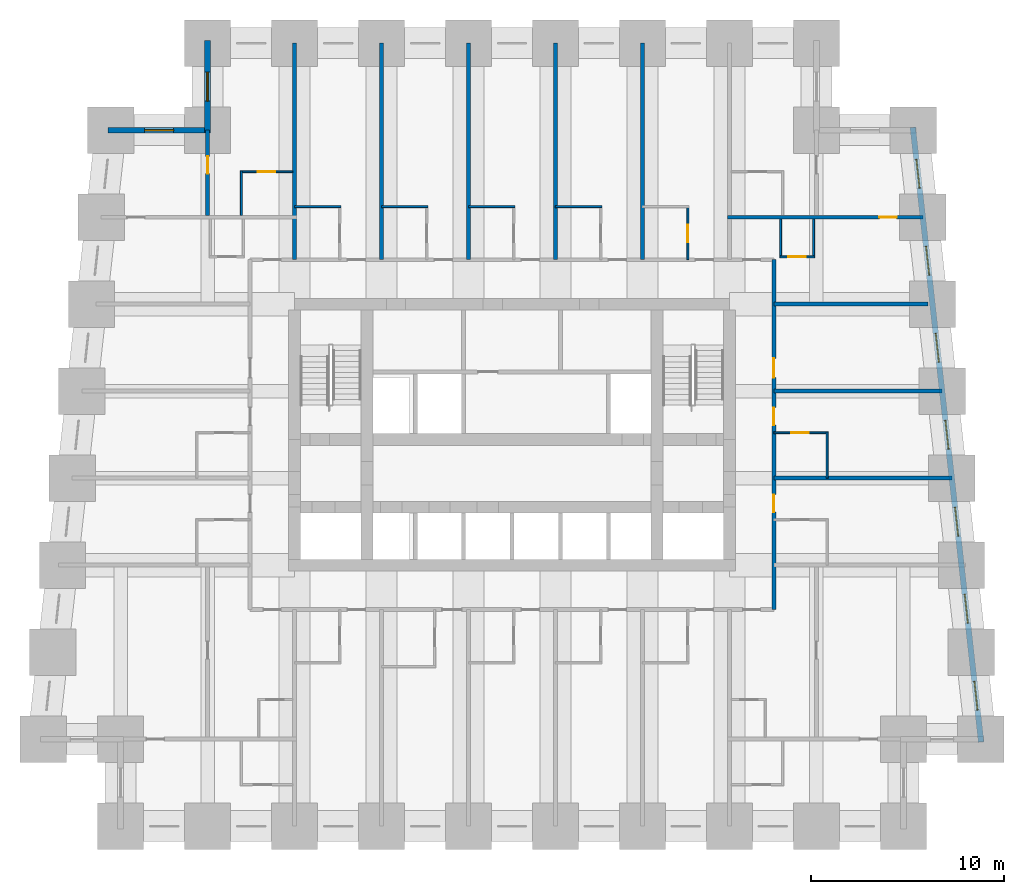
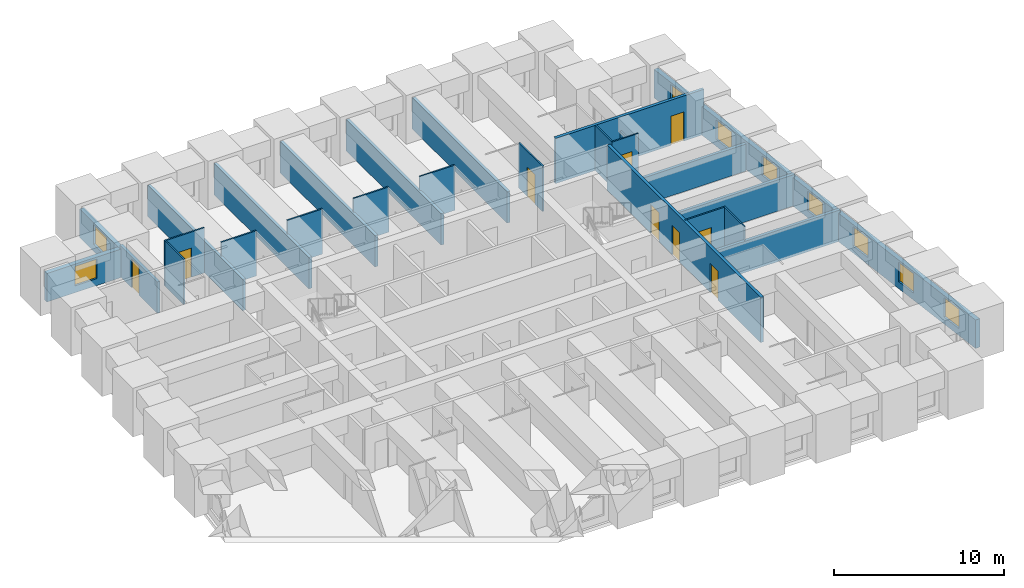
# One storey, part 6 of 8: 26 walls, 9 doors, 9 windows, 18 openings.
"""IFC4 building model written with IfcOpenShell, lengths in metres."""

from ifc_helpers import new_model, si_unit, direction, frame, frame_2d, origin, place, context, subcontext, project, spatial, rectangle, extrude, material, layer, layer_set, type_object, element, fill, save


model = new_model("IFC4")

# Units and contexts
model_context = context("Model", 3, precision=1e-05, world=origin(), true_north=direction((0.0, 1.0)))
body_context = subcontext(model_context, "Body", "Model", "MODEL_VIEW")
ifc_project = project(units=[si_unit("LENGTHUNIT", "METRE"), si_unit("AREAUNIT", "SQUARE_METRE"), si_unit("VOLUMEUNIT", "CUBIC_METRE"), si_unit("PLANEANGLEUNIT", "RADIAN"), si_unit("MASSUNIT", "GRAM", prefix="KILO")], contexts=[model_context])

# Site, building, storey
site_placement = place(None, origin())
site = spatial("IfcSite", under=ifc_project, at=site_placement, CompositionType="ELEMENT")
building_placement = place(site_placement, origin())
building = spatial("IfcBuilding", under=site, at=building_placement, Name="Kilele Tower Hotel", CompositionType="ELEMENT")
storey_placement = place(building_placement, frame((0.0, 0.0, 29.699951171875)))
storey = spatial("IfcBuildingStorey", under=building, at=storey_placement, Name="L05", CompositionType="ELEMENT", Elevation=29.699951171875)

# Wall
ifc_material_1 = material(Name="Moisture-resistant board")
ifc_layer_1 = layer(ifc_material_1, 0.10009765625)
ifc_layer_set_1 = layer_set([ifc_layer_1], Name="Moisture-resistant board")
wall_type_1 = type_object("IfcWallType", Name="Bathroom partition 100", PredefinedType="PLUMBINGWALL", material=ifc_layer_set_1)
wall_1_placement = place(storey_placement, frame((41.050048828125, 18.0, 0.0), z_axis=(0.0, 0.0, 1.0), x_axis=(0.0, 1.0, 0.0)))
element("IfcWall", 1, at=wall_1_placement, inside=storey, type_object=wall_type_1, Name="Bathroom partition 100 L05", PredefinedType="PLUMBINGWALL", context=body_context, shape_type="SweptSolid", body=[
    extrude(rectangle(XDim=2.39990234375, YDim=0.10009765625, at=frame_2d((1.199951171875, 0.0))), origin(), (0.0, 0.0, 1.0), 3.25),
])

# Wall, opening, door
wall_2_placement = place(storey_placement, frame((38.300048828125, 20.35009765625, 0.0), z_axis=(0.0, 0.0, 1.0), x_axis=(1.0, 0.0, 0.0)))
wall_2 = element("IfcWall", 2, at=wall_2_placement, inside=storey, type_object=wall_type_1, Name="Bathroom partition 100 L05", PredefinedType="PLUMBINGWALL", context=body_context, shape_type="SweptSolid", body=[
    extrude(rectangle(XDim=2.800048828125, YDim=0.10009765625, at=frame_2d((1.39990234375, 0.0))), origin(), (0.0, 0.0, 1.0), 3.25),
])
opening_1_placement = place(wall_2_placement, frame((0.89990234375, 0.0, 0.0)))
opening_1 = element("IfcOpeningElement", 3, at=opening_1_placement, cuts=wall_2, Name="Opening D2A", PredefinedType="OPENING", context=body_context, shape_type="SweptSolid", body=[
    extrude(rectangle(XDim=0.89990234375, YDim=2.10009765625, at=frame_2d((0.449951171875, 1.050048828125))), frame((0.0, 0.06005859375, 0.0), z_axis=(0.0, -1.0, 0.0), x_axis=(1.0, 0.0, 0.0)), (0.0, 0.0, 1.0), 0.1201171875),
])
ifc_material_2 = material(Name="Timber door leaf in hardwood frame", Category="wood")
door_type_1 = type_object("IfcDoorType", Name="Bathroom door 900", OperationType="SINGLE_SWING_LEFT", PredefinedType="DOOR", material=ifc_material_2)
door_1_placement = place(opening_1_placement, origin())
door_1 = element("IfcDoor", 4, at=door_1_placement, inside=storey, type_object=door_type_1, Name="Bathroom door 0507B", OperationType="SINGLE_SWING_LEFT", OverallHeight=2.10009765625, OverallWidth=0.89990234375, PredefinedType="DOOR", context=body_context, shape_type="SweptSolid", body=[
    extrude(rectangle(XDim=0.89990234375, YDim=2.10009765625, at=frame_2d((0.449951171875, 1.050048828125))), frame((0.0, 0.02490234375, 0.0), z_axis=(0.0, -1.0, 0.0), x_axis=(1.0, 0.0, 0.0)), (0.0, 0.0, 1.0), 0.050048828125),
])
fill(opening_1, door_1)

# Walls
for number, where, z_axis, x_axis, name in (
    (5, (13.5, 32.050048828125, 0.0), (0.0, 0.0, 1.0), (1.0, 0.0, 0.0), "Bathroom partition 100 L05"),
    (6, (18.0, 32.050048828125, 0.0), (0.0, 0.0, 1.0), (1.0, 0.0, 0.0), "Bathroom partition 100 L05"),
    (7, (22.5, 32.050048828125, 0.0), (0.0, 0.0, 1.0), (1.0, 0.0, 0.0), "Bathroom partition 100 L05"),
    (8, (27.0, 32.050048828125, 0.0), (0.0, 0.0, 1.0), (1.0, 0.0, 0.0), "Bathroom partition 100 L05"),
):
    element("IfcWall", number, at=place(storey_placement, frame(where, z_axis=z_axis, x_axis=x_axis)), inside=storey, type_object=wall_type_1, Name=name, PredefinedType="PLUMBINGWALL", context=body_context, shape_type="SweptSolid", body=[
        extrude(rectangle(XDim=2.39990234375, YDim=0.10009765625, at=frame_2d((1.199951171875, 0.0))), origin(), (0.0, 0.0, 1.0), 3.25),
    ])

# Wall, opening, door
wall_3_placement = place(storey_placement, frame((33.85009765625, 29.300048828125, 0.0), z_axis=(0.0, 0.0, 1.0), x_axis=(0.0, 1.0, 0.0)))
wall_3 = element("IfcWall", 9, at=wall_3_placement, inside=storey, type_object=wall_type_1, Name="Bathroom partition 100 L05", PredefinedType="PLUMBINGWALL", context=body_context, shape_type="SweptSolid", body=[
    extrude(rectangle(XDim=2.800048828125, YDim=0.10009765625, at=frame_2d((1.39990234375, 0.0))), origin(), (0.0, 0.0, 1.0), 3.25),
])
opening_2_placement = place(wall_3_placement, frame((1.7998046875, 0.0, 0.0), z_axis=(0.0, 0.0, 1.0), x_axis=(-1.0, 0.0, 0.0)))
opening_2 = element("IfcOpeningElement", 10, at=opening_2_placement, cuts=wall_3, Name="Opening D2A", PredefinedType="OPENING", context=body_context, shape_type="SweptSolid", body=[
    extrude(rectangle(XDim=0.89990234375, YDim=2.10009765625, at=frame_2d((0.449951171875, 1.050048828125))), frame((0.0, 0.06005859375, 0.0), z_axis=(0.0, -1.0, 0.0), x_axis=(1.0, 0.0, 0.0)), (0.0, 0.0, 1.0), 0.1201171875),
])
door_2_placement = place(opening_2_placement, origin())
door_2 = element("IfcDoor", 11, at=door_2_placement, inside=storey, type_object=door_type_1, Name="Bathroom door 0513B", OperationType="SINGLE_SWING_RIGHT", OverallHeight=2.10009765625, OverallWidth=0.89990234375, PredefinedType="DOOR", context=body_context, shape_type="SweptSolid", body=[
    extrude(rectangle(XDim=0.89990234375, YDim=2.10009765625, at=frame_2d((0.449951171875, 1.050048828125))), frame((0.0, 0.02490234375, 0.0), z_axis=(0.0, -1.0, 0.0), x_axis=(1.0, 0.0, 0.0)), (0.0, 0.0, 1.0), 0.050048828125),
])
fill(opening_2, door_2)

# Walls
wall_4_placement = place(storey_placement, frame((40.35009765625, 31.39990234375, 0.0), z_axis=(0.0, 0.0, 1.0), x_axis=(0.0, -1.0, 0.0)))
element("IfcWall", 12, at=wall_4_placement, inside=storey, type_object=wall_type_1, Name="Bathroom partition 100 L05", PredefinedType="PLUMBINGWALL", context=body_context, shape_type="SweptSolid", body=[
    extrude(rectangle(XDim=2.0, YDim=0.10009765625, at=frame_2d((1.0, 0.0))), origin(), (0.0, 0.0, 1.0), 2.25),
])
wall_5_placement = place(storey_placement, frame((38.64990234375, 31.39990234375, 0.0), z_axis=(0.0, 0.0, 1.0), x_axis=(0.0, -1.0, 0.0)))
element("IfcWall", 13, at=wall_5_placement, inside=storey, type_object=wall_type_1, Name="Bathroom partition 100 L05", PredefinedType="PLUMBINGWALL", context=body_context, shape_type="SweptSolid", body=[
    extrude(rectangle(XDim=2.0, YDim=0.10009765625, at=frame_2d((1.0, 0.0))), origin(), (0.0, 0.0, 1.0), 3.25),
])

# Wall, opening, door
wall_6_placement = place(storey_placement, frame((38.60009765625, 29.449951171875, 0.0), z_axis=(0.0, 0.0, 1.0), x_axis=(1.0, 0.0, 0.0)))
wall_6 = element("IfcWall", 14, at=wall_6_placement, inside=storey, type_object=wall_type_1, Name="Bathroom partition 100 L05", PredefinedType="PLUMBINGWALL", context=body_context, shape_type="SweptSolid", body=[
    extrude(rectangle(XDim=1.7998046875, YDim=0.10009765625, at=frame_2d((0.89990234375, 0.0))), origin(), (0.0, 0.0, 1.0), 3.25),
])
opening_3_placement = place(wall_6_placement, frame((1.349853515625, 0.0, 0.0), z_axis=(0.0, 0.0, 1.0), x_axis=(-1.0, 0.0, 0.0)))
opening_3 = element("IfcOpeningElement", 15, at=opening_3_placement, cuts=wall_6, Name="Opening D2A", PredefinedType="OPENING", context=body_context, shape_type="SweptSolid", body=[
    extrude(rectangle(XDim=0.89990234375, YDim=2.10009765625, at=frame_2d((0.449951171875, 1.050048828125))), frame((0.0, 0.06005859375, 0.0), z_axis=(0.0, -1.0, 0.0), x_axis=(1.0, 0.0, 0.0)), (0.0, 0.0, 1.0), 0.1201171875),
])
door_3_placement = place(opening_3_placement, origin())
door_3 = element("IfcDoor", 16, at=door_3_placement, inside=storey, type_object=door_type_1, Name="Bathroom door 0523P", OperationType="SINGLE_SWING_RIGHT", OverallHeight=2.10009765625, OverallWidth=0.89990234375, PredefinedType="DOOR", context=body_context, shape_type="SweptSolid", body=[
    extrude(rectangle(XDim=0.89990234375, YDim=2.10009765625, at=frame_2d((0.449951171875, 1.050048828125))), frame((0.0, 0.02490234375, 0.0), z_axis=(0.0, -1.0, 0.0), x_axis=(1.0, 0.0, 0.0)), (0.0, 0.0, 1.0), 0.050048828125),
])
fill(opening_3, door_3)

# Wall
wall_7_placement = place(storey_placement, frame((10.75, 31.60009765625, 0.0), z_axis=(0.0, 0.0, 1.0), x_axis=(0.0, 1.0, 0.0)))
element("IfcWall", 17, at=wall_7_placement, inside=storey, type_object=wall_type_1, Name="Bathroom partition 100 L05", PredefinedType="PLUMBINGWALL", context=body_context, shape_type="SweptSolid", body=[
    extrude(rectangle(XDim=2.2998046875, YDim=0.10009765625, at=frame_2d((1.14990234375, 0.0))), origin(), (0.0, 0.0, 1.0), 3.25),
])

# Wall, opening, door
wall_8_placement = place(storey_placement, frame((13.39990234375, 33.85009765625, 0.0), z_axis=(0.0, 0.0, 1.0), x_axis=(-1.0, 0.0, 0.0)))
wall_8 = element("IfcWall", 18, at=wall_8_placement, inside=storey, type_object=wall_type_1, Name="Bathroom partition 100 L05", PredefinedType="PLUMBINGWALL", context=body_context, shape_type="SweptSolid", body=[
    extrude(rectangle(XDim=2.699951171875, YDim=0.10009765625, at=frame_2d((1.35009765625, 0.0))), origin(), (0.0, 0.0, 1.0), 3.25),
])
opening_4_placement = place(wall_8_placement, frame((1.7998046875, 0.0, 0.0), z_axis=(0.0, 0.0, 1.0), x_axis=(-1.0, 0.0, 0.0)))
opening_4 = element("IfcOpeningElement", 19, at=opening_4_placement, cuts=wall_8, Name="Opening D2A", PredefinedType="OPENING", context=body_context, shape_type="SweptSolid", body=[
    extrude(rectangle(XDim=0.89990234375, YDim=2.10009765625, at=frame_2d((0.449951171875, 1.050048828125))), frame((0.0, 0.06005859375, 0.0), z_axis=(0.0, -1.0, 0.0), x_axis=(1.0, 0.0, 0.0)), (0.0, 0.0, 1.0), 0.1201171875),
])
door_4_placement = place(opening_4_placement, origin())
door_4 = element("IfcDoor", 20, at=door_4_placement, inside=storey, type_object=door_type_1, Name="Bathroom door 0527B", OperationType="SINGLE_SWING_RIGHT", OverallHeight=2.10009765625, OverallWidth=0.89990234375, PredefinedType="DOOR", context=body_context, shape_type="SweptSolid", body=[
    extrude(rectangle(XDim=0.89990234375, YDim=2.10009765625, at=frame_2d((0.449951171875, 1.050048828125))), frame((0.0, 0.02490234375, 0.0), z_axis=(0.0, -1.0, 0.0), x_axis=(1.0, 0.0, 0.0)), (0.0, 0.0, 1.0), 0.050048828125),
])
fill(opening_4, door_4)

# Wall, openings, doors
ifc_material_3 = material(Name="Blockwork, plastered both sides", Category="masonry")
ifc_layer_2 = layer(ifc_material_3, 0.199951171875)
ifc_layer_set_2 = layer_set([ifc_layer_2], Name="Blockwork, plastered both sides")
wall_type_2 = type_object("IfcWallType", Name="Corridor wall 200", PredefinedType="PARTITIONING", material=ifc_layer_set_2)
wall_9_placement = place(storey_placement, frame((38.300048828125, 11.199951171875, 0.0), z_axis=(0.0, 0.0, 1.0), x_axis=(0.0, 1.0, 0.0)))
wall_9 = element("IfcWall", 21, at=wall_9_placement, inside=storey, type_object=wall_type_2, Name="Corridor wall 200 L05", PredefinedType="PARTITIONING", context=body_context, shape_type="SweptSolid", body=[
    extrude(rectangle(XDim=18.10009765625, YDim=0.199951171875, at=frame_2d((9.050048828125, 0.0))), origin(), (0.0, 0.0, 1.0), 3.25),
])
opening_5_placement = place(wall_9_placement, frame((5.949951171875, 0.0, 0.0), z_axis=(0.0, 0.0, 1.0), x_axis=(-1.0, 0.0, 0.0)))
opening_5 = element("IfcOpeningElement", 22, at=opening_5_placement, cuts=wall_9, Name="Opening D1", PredefinedType="OPENING", context=body_context, shape_type="SweptSolid", body=[
    extrude(rectangle(XDim=0.89990234375, YDim=2.10009765625, at=frame_2d((0.449951171875, 1.050048828125))), frame((0.0, 0.10986328125, 0.0), z_axis=(0.0, -1.0, 0.0), x_axis=(1.0, 0.0, 0.0)), (0.0, 0.0, 1.0), 0.219970703125),
])
opening_6_placement = place(wall_9_placement, frame((10.449951171875, 0.0, 0.0), z_axis=(0.0, 0.0, 1.0), x_axis=(-1.0, 0.0, 0.0)))
opening_6 = element("IfcOpeningElement", 23, at=opening_6_placement, cuts=wall_9, Name="Opening D1", PredefinedType="OPENING", context=body_context, shape_type="SweptSolid", body=[
    extrude(rectangle(XDim=0.89990234375, YDim=2.10009765625, at=frame_2d((0.449951171875, 1.050048828125))), frame((0.0, 0.10986328125, 0.0), z_axis=(0.0, -1.0, 0.0), x_axis=(1.0, 0.0, 0.0)), (0.0, 0.0, 1.0), 0.219970703125),
])
opening_7_placement = place(wall_9_placement, frame((13.0, 0.0, 0.0), z_axis=(0.0, 0.0, 1.0), x_axis=(-1.0, 0.0, 0.0)))
opening_7 = element("IfcOpeningElement", 24, at=opening_7_placement, cuts=wall_9, Name="Opening D8", PredefinedType="OPENING", context=body_context, shape_type="SweptSolid", body=[
    extrude(rectangle(XDim=1.0, YDim=2.10009765625, at=frame_2d((0.5, 1.050048828125))), frame((0.0, 0.10986328125, 0.0), z_axis=(0.0, -1.0, 0.0), x_axis=(1.0, 0.0, 0.0)), (0.0, 0.0, 1.0), 0.219970703125),
])
ifc_material_4 = material(Name="Timber door leaf in hardwood frame", Category="wood")
door_type_2 = type_object("IfcDoorType", Name="Door 1000", OperationType="SINGLE_SWING_LEFT", PredefinedType="DOOR", material=ifc_material_4)
door_5_placement = place(opening_7_placement, origin())
door_5 = element("IfcDoor", 25, at=door_5_placement, inside=storey, type_object=door_type_2, Name="Room entrance 0508", OperationType="SINGLE_SWING_RIGHT", OverallHeight=2.10009765625, OverallWidth=1.0, PredefinedType="DOOR", context=body_context, shape_type="SweptSolid", body=[
    extrude(rectangle(XDim=1.0, YDim=2.10009765625, at=frame_2d((0.5, 1.050048828125))), frame((0.0, 0.02490234375, 0.0), z_axis=(0.0, -1.0, 0.0), x_axis=(1.0, 0.0, 0.0)), (0.0, 0.0, 1.0), 0.050048828125),
])
fill(opening_7, door_5)
ifc_material_5 = material(Name="Timber door leaf in hardwood frame", Category="wood")
door_type_3 = type_object("IfcDoorType", Name="Guest room entrance door 900", OperationType="SINGLE_SWING_LEFT", PredefinedType="DOOR", material=ifc_material_5)
door_6_placement = place(opening_5_placement, origin())
door_6 = element("IfcDoor", 26, at=door_6_placement, inside=storey, type_object=door_type_3, Name="Room entrance 0506", OperationType="SINGLE_SWING_RIGHT", OverallHeight=2.10009765625, OverallWidth=0.89990234375, PredefinedType="DOOR", context=body_context, shape_type="SweptSolid", body=[
    extrude(rectangle(XDim=0.89990234375, YDim=2.10009765625, at=frame_2d((0.449951171875, 1.050048828125))), frame((0.0, 0.02490234375, 0.0), z_axis=(0.0, -1.0, 0.0), x_axis=(1.0, 0.0, 0.0)), (0.0, 0.0, 1.0), 0.050048828125),
])
fill(opening_5, door_6)
door_7_placement = place(opening_6_placement, origin())
door_7 = element("IfcDoor", 27, at=door_7_placement, inside=storey, type_object=door_type_3, Name="Room entrance 0507", OperationType="SINGLE_SWING_RIGHT", OverallHeight=2.10009765625, OverallWidth=0.89990234375, PredefinedType="DOOR", context=body_context, shape_type="SweptSolid", body=[
    extrude(rectangle(XDim=0.89990234375, YDim=2.10009765625, at=frame_2d((0.449951171875, 1.050048828125))), frame((0.0, 0.02490234375, 0.0), z_axis=(0.0, -1.0, 0.0), x_axis=(1.0, 0.0, 0.0)), (0.0, 0.0, 1.0), 0.050048828125),
])
fill(opening_6, door_7)

# Wall, opening, door
ifc_material_6 = material(Name="Blockwork, plastered both sides", Category="masonry")
ifc_layer_3 = layer(ifc_material_6, 0.199951171875)
ifc_layer_set_3 = layer_set([ifc_layer_3], Name="Blockwork, plastered both sides")
wall_type_3 = type_object("IfcWallType", Name="Partition wall 200", PredefinedType="PARTITIONING", material=ifc_layer_set_3)
wall_10_placement = place(storey_placement, frame((9.0, 31.60009765625, 0.0), z_axis=(0.0, 0.0, 1.0), x_axis=(0.0, 1.0, 0.0)))
wall_10 = element("IfcWall", 28, at=wall_10_placement, inside=storey, type_object=wall_type_3, Name="Partition wall 200 L05", PredefinedType="PARTITIONING", context=body_context, shape_type="SweptSolid", body=[
    extrude(rectangle(XDim=4.39990234375, YDim=0.199951171875, at=frame_2d((2.199951171875, 0.0))), origin(), (0.0, 0.0, 1.0), 2.25),
])
opening_8_placement = place(wall_10_placement, frame((2.14990234375, 0.0, 0.0)))
opening_8 = element("IfcOpeningElement", 29, at=opening_8_placement, cuts=wall_10, Name="Opening D3", PredefinedType="OPENING", context=body_context, shape_type="SweptSolid", body=[
    extrude(rectangle(XDim=0.89990234375, YDim=2.10009765625, at=frame_2d((0.449951171875, 1.050048828125))), frame((0.0, 0.10986328125, 0.0), z_axis=(0.0, -1.0, 0.0), x_axis=(1.0, 0.0, 0.0)), (0.0, 0.0, 1.0), 0.219970703125),
])
ifc_material_7 = material(Name="Timber door leaf in hardwood frame", Category="wood")
door_type_4 = type_object("IfcDoorType", Name="Suite internal door 900", OperationType="SINGLE_SWING_LEFT", PredefinedType="DOOR", material=ifc_material_7)
door_8_placement = place(opening_8_placement, origin())
door_8 = element("IfcDoor", 30, at=door_8_placement, inside=storey, type_object=door_type_4, Name="Suite door 0528", OperationType="SINGLE_SWING_RIGHT", OverallHeight=2.10009765625, OverallWidth=0.89990234375, PredefinedType="DOOR", context=body_context, shape_type="SweptSolid", body=[
    extrude(rectangle(XDim=0.89990234375, YDim=2.10009765625, at=frame_2d((0.449951171875, 1.050048828125))), frame((0.0, 0.02490234375, 0.0), z_axis=(0.0, -1.0, 0.0), x_axis=(1.0, 0.0, 0.0)), (0.0, 0.0, 1.0), 0.050048828125),
])
fill(opening_8, door_8)

# Walls
ifc_material_8 = material(Name="Blockwork, plastered both sides", Category="masonry")
ifc_layer_4 = layer(ifc_material_8, 0.199951171875)
ifc_layer_set_4 = layer_set([ifc_layer_4], Name="Blockwork, plastered both sides")
wall_type_4 = type_object("IfcWallType", Name="Party wall 200", PredefinedType="PARTITIONING", material=ifc_layer_set_4)
wall_11_placement = place(storey_placement, frame((38.300048828125, 18.0, 0.0), z_axis=(0.0, 0.0, 1.0), x_axis=(1.0, 0.0, 0.0)))
element("IfcWall", 31, at=wall_11_placement, inside=storey, type_object=wall_type_4, Name="Party wall 200 L05", PredefinedType="PARTITIONING", context=body_context, shape_type="SweptSolid", body=[
    extrude(rectangle(XDim=9.198974609375, YDim=0.199951171875, at=frame_2d((4.599609375, 0.0))), origin(), (0.0, 0.0, 1.0), 2.25),
])
wall_12_placement = place(storey_placement, frame((38.300048828125, 22.5, 0.0), z_axis=(0.0, 0.0, 1.0), x_axis=(1.0, 0.0, 0.0)))
element("IfcWall", 32, at=wall_12_placement, inside=storey, type_object=wall_type_4, Name="Party wall 200 L05", PredefinedType="PARTITIONING", context=body_context, shape_type="SweptSolid", body=[
    extrude(rectangle(XDim=8.698974609375, YDim=0.199951171875, at=frame_2d((4.349609375, 0.0))), origin(), (0.0, 0.0, 1.0), 2.25),
])
for number, where, z_axis, x_axis, name in (
    (33, (18.0, 29.300048828125, 0.0), (0.0, 0.0, 1.0), (0.0, 1.0, 0.0), "Party wall 200 L05"),
    (34, (22.5, 29.300048828125, 0.0), (0.0, 0.0, 1.0), (0.0, 1.0, 0.0), "Party wall 200 L05"),
    (35, (27.0, 29.300048828125, 0.0), (0.0, 0.0, 1.0), (0.0, 1.0, 0.0), "Party wall 200 L05"),
    (36, (31.5, 29.300048828125, 0.0), (0.0, 0.0, 1.0), (0.0, 1.0, 0.0), "Party wall 200 L05"),
):
    element("IfcWall", number, at=place(storey_placement, frame(where, z_axis=z_axis, x_axis=x_axis)), inside=storey, type_object=wall_type_4, Name=name, PredefinedType="PARTITIONING", context=body_context, shape_type="SweptSolid", body=[
        extrude(rectangle(XDim=11.199951171875, YDim=0.199951171875, at=frame_2d((5.60009765625, 0.0))), origin(), (0.0, 0.0, 1.0), 2.25),
    ])
wall_13_placement = place(storey_placement, frame((38.300048828125, 27.0, 0.0), z_axis=(0.0, 0.0, 1.0), x_axis=(1.0, 0.0, 0.0)))
element("IfcWall", 37, at=wall_13_placement, inside=storey, type_object=wall_type_4, Name="Party wall 200 L05", PredefinedType="PARTITIONING", context=body_context, shape_type="SweptSolid", body=[
    extrude(rectangle(XDim=7.976806640625, YDim=0.199951171875, at=frame_2d((3.98828125, 0.0))), origin(), (0.0, 0.0, 1.0), 1.949951171875),
])

# Wall, opening, door
wall_14_placement = place(storey_placement, frame((35.89990234375, 31.5, 0.0), z_axis=(0.0, 0.0, 1.0), x_axis=(1.0, 0.0, 0.0)))
wall_14 = element("IfcWall", 38, at=wall_14_placement, inside=storey, type_object=wall_type_4, Name="Party wall 200 L05", PredefinedType="PARTITIONING", context=body_context, shape_type="SweptSolid", body=[
    extrude(rectangle(XDim=10.09912109375, YDim=0.199951171875, at=frame_2d((5.049560546875, 0.0))), origin(), (0.0, 0.0, 1.0), 3.25),
])
opening_9_placement = place(wall_14_placement, frame((7.84912109375, 0.0, 0.0)))
opening_9 = element("IfcOpeningElement", 39, at=opening_9_placement, cuts=wall_14, Name="Opening D3", PredefinedType="OPENING", context=body_context, shape_type="SweptSolid", body=[
    extrude(rectangle(XDim=0.89990234375, YDim=2.10009765625, at=frame_2d((0.449951171875, 1.050048828125))), frame((0.0, 0.10986328125, 0.0), z_axis=(0.0, -1.0, 0.0), x_axis=(1.0, 0.0, 0.0)), (0.0, 0.0, 1.0), 0.219970703125),
])
door_9_placement = place(opening_9_placement, origin())
door_9 = element("IfcDoor", 40, at=door_9_placement, inside=storey, type_object=door_type_4, Name="Suite door 0524", OperationType="SINGLE_SWING_RIGHT", OverallHeight=2.10009765625, OverallWidth=0.89990234375, PredefinedType="DOOR", context=body_context, shape_type="SweptSolid", body=[
    extrude(rectangle(XDim=0.89990234375, YDim=2.10009765625, at=frame_2d((0.449951171875, 1.050048828125))), frame((0.0, 0.02490234375, 0.0), z_axis=(0.0, -1.0, 0.0), x_axis=(1.0, 0.0, 0.0)), (0.0, 0.0, 1.0), 0.050048828125),
])
fill(opening_9, door_9)

# Wall
wall_15_placement = place(storey_placement, frame((13.5, 29.300048828125, 0.0), z_axis=(0.0, 0.0, 1.0), x_axis=(0.0, 1.0, 0.0)))
element("IfcWall", 41, at=wall_15_placement, inside=storey, type_object=wall_type_4, Name="Party wall 200 L05", PredefinedType="PARTITIONING", context=body_context, shape_type="SweptSolid", body=[
    extrude(rectangle(XDim=11.199951171875, YDim=0.199951171875, at=frame_2d((5.60009765625, 0.0))), origin(), (0.0, 0.0, 1.0), 2.25),
])

# Wall, openings, windows
ifc_material_9 = material(Name="Concrete C40/50 precast", Category="concrete")
ifc_layer_5 = layer(ifc_material_9, 0.260009765625, Name="Precast backing", Category="LoadBearing")
ifc_material_10 = material(Name="Reconstituted stone finish", Category="masonry")
ifc_layer_6 = layer(ifc_material_10, 0.0400390625, Name="Face mix", Category="Finish")
ifc_layer_set_5 = layer_set([ifc_layer_5, ifc_layer_6], Name="Precast concrete C40/50, reconstituted stone finish")
wall_type_5 = type_object("IfcWallType", Name="Precast stone facade wall 300", PredefinedType="STANDARD", material=ifc_layer_set_5)
wall_16_placement = place(storey_placement, frame((49.0166015625, 4.350830078125, 0.0), z_axis=(0.0, 0.0, 1.0), x_axis=(-0.110433201132, 0.993883548555, 0.0)))
wall_16 = element("IfcWall", 42, at=wall_16_placement, inside=storey, type_object=wall_type_5, Name="Facade wall L05 edge 6", PredefinedType="STANDARD", context=body_context, shape_type="SweptSolid", body=[
    extrude(rectangle(XDim=31.994140625, YDim=0.300048828125, at=frame_2d((15.9970703125, 0.0))), origin(), (0.0, 0.0, 1.0), 2.050048828125),
])
opening_10_placement = place(wall_16_placement, frame((1.6640625, 0.0, 0.5)))
opening_10 = element("IfcOpeningElement", 43, at=opening_10_placement, cuts=wall_16, Name="Opening W1", PredefinedType="OPENING", context=body_context, shape_type="SweptSolid", body=[
    extrude(rectangle(XDim=1.5, YDim=1.39990234375, at=frame_2d((0.75, 0.699951171875))), frame((0.0, 0.159912109375, 0.0), z_axis=(0.0, -1.0, 0.0), x_axis=(1.0, 0.0, 0.0)), (0.0, 0.0, 1.0), 0.320068359375),
])
opening_11_placement = place(wall_16_placement, frame((6.19189453125, 0.0, 0.5)))
opening_11 = element("IfcOpeningElement", 44, at=opening_11_placement, cuts=wall_16, Name="Opening W1", PredefinedType="OPENING", context=body_context, shape_type="SweptSolid", body=[
    extrude(rectangle(XDim=1.5, YDim=1.39990234375, at=frame_2d((0.75, 0.699951171875))), frame((0.0, 0.159912109375, 0.0), z_axis=(0.0, -1.0, 0.0), x_axis=(1.0, 0.0, 0.0)), (0.0, 0.0, 1.0), 0.320068359375),
])
opening_12_placement = place(wall_16_placement, frame((10.718994140625, 0.0, 0.5)))
opening_12 = element("IfcOpeningElement", 45, at=opening_12_placement, cuts=wall_16, Name="Opening W1", PredefinedType="OPENING", context=body_context, shape_type="SweptSolid", body=[
    extrude(rectangle(XDim=1.5, YDim=1.39990234375, at=frame_2d((0.75, 0.699951171875))), frame((0.0, 0.159912109375, 0.0), z_axis=(0.0, -1.0, 0.0), x_axis=(1.0, 0.0, 0.0)), (0.0, 0.0, 1.0), 0.320068359375),
])
opening_13_placement = place(wall_16_placement, frame((15.2470703125, 0.0, 0.5)))
opening_13 = element("IfcOpeningElement", 46, at=opening_13_placement, cuts=wall_16, Name="Opening W1", PredefinedType="OPENING", context=body_context, shape_type="SweptSolid", body=[
    extrude(rectangle(XDim=1.5, YDim=1.39990234375, at=frame_2d((0.75, 0.699951171875))), frame((0.0, 0.159912109375, 0.0), z_axis=(0.0, -1.0, 0.0), x_axis=(1.0, 0.0, 0.0)), (0.0, 0.0, 1.0), 0.320068359375),
])
opening_14_placement = place(wall_16_placement, frame((19.77490234375, 0.0, 0.5)))
opening_14 = element("IfcOpeningElement", 47, at=opening_14_placement, cuts=wall_16, Name="Opening W1", PredefinedType="OPENING", context=body_context, shape_type="SweptSolid", body=[
    extrude(rectangle(XDim=1.5, YDim=1.39990234375, at=frame_2d((0.75, 0.699951171875))), frame((0.0, 0.159912109375, 0.0), z_axis=(0.0, -1.0, 0.0), x_axis=(1.0, 0.0, 0.0)), (0.0, 0.0, 1.0), 0.320068359375),
])
opening_15_placement = place(wall_16_placement, frame((24.302001953125, 0.0, 0.5)))
opening_15 = element("IfcOpeningElement", 48, at=opening_15_placement, cuts=wall_16, Name="Opening W1", PredefinedType="OPENING", context=body_context, shape_type="SweptSolid", body=[
    extrude(rectangle(XDim=1.5, YDim=1.39990234375, at=frame_2d((0.75, 0.699951171875))), frame((0.0, 0.159912109375, 0.0), z_axis=(0.0, -1.0, 0.0), x_axis=(1.0, 0.0, 0.0)), (0.0, 0.0, 1.0), 0.320068359375),
])
opening_16_placement = place(wall_16_placement, frame((28.830078125, 0.0, 0.5)))
opening_16 = element("IfcOpeningElement", 49, at=opening_16_placement, cuts=wall_16, Name="Opening W1", PredefinedType="OPENING", context=body_context, shape_type="SweptSolid", body=[
    extrude(rectangle(XDim=1.5, YDim=1.39990234375, at=frame_2d((0.75, 0.699951171875))), frame((0.0, 0.159912109375, 0.0), z_axis=(0.0, -1.0, 0.0), x_axis=(1.0, 0.0, 0.0)), (0.0, 0.0, 1.0), 0.320068359375),
])
ifc_material_11 = material(Name="Aluminium frame, clear double glazing", Category="aluminium")
window_type = type_object("IfcWindowType", Name="Window W1 1500 x 1400", PartitioningType="SINGLE_PANEL", PredefinedType="WINDOW", material=ifc_material_11)
window_1_placement = place(opening_10_placement, origin())
window_1 = element("IfcWindow", 50, at=window_1_placement, inside=storey, type_object=window_type, Name="Window L05", OverallHeight=1.39990234375, OverallWidth=1.5, PartitioningType="SINGLE_PANEL", PredefinedType="WINDOW", context=body_context, shape_type="SweptSolid", body=[
    extrude(rectangle(XDim=1.5, YDim=1.39990234375, at=frame_2d((0.75, 0.699951171875))), frame((0.0, 0.030029296875, 0.0), z_axis=(0.0, -1.0, 0.0), x_axis=(1.0, 0.0, 0.0)), (0.0, 0.0, 1.0), 0.06005859375),
])
fill(opening_10, window_1)
window_2_placement = place(opening_11_placement, origin())
window_2 = element("IfcWindow", 51, at=window_2_placement, inside=storey, type_object=window_type, Name="Window L05", OverallHeight=1.39990234375, OverallWidth=1.5, PartitioningType="SINGLE_PANEL", PredefinedType="WINDOW", context=body_context, shape_type="SweptSolid", body=[
    extrude(rectangle(XDim=1.5, YDim=1.39990234375, at=frame_2d((0.75, 0.699951171875))), frame((0.0, 0.030029296875, 0.0), z_axis=(0.0, -1.0, 0.0), x_axis=(1.0, 0.0, 0.0)), (0.0, 0.0, 1.0), 0.06005859375),
])
fill(opening_11, window_2)
window_3_placement = place(opening_12_placement, origin())
window_3 = element("IfcWindow", 52, at=window_3_placement, inside=storey, type_object=window_type, Name="Window L05", OverallHeight=1.39990234375, OverallWidth=1.5, PartitioningType="SINGLE_PANEL", PredefinedType="WINDOW", context=body_context, shape_type="SweptSolid", body=[
    extrude(rectangle(XDim=1.5, YDim=1.39990234375, at=frame_2d((0.75, 0.699951171875))), frame((0.0, 0.030029296875, 0.0), z_axis=(0.0, -1.0, 0.0), x_axis=(1.0, 0.0, 0.0)), (0.0, 0.0, 1.0), 0.06005859375),
])
fill(opening_12, window_3)
window_4_placement = place(opening_13_placement, origin())
window_4 = element("IfcWindow", 53, at=window_4_placement, inside=storey, type_object=window_type, Name="Window L05", OverallHeight=1.39990234375, OverallWidth=1.5, PartitioningType="SINGLE_PANEL", PredefinedType="WINDOW", context=body_context, shape_type="SweptSolid", body=[
    extrude(rectangle(XDim=1.5, YDim=1.39990234375, at=frame_2d((0.75, 0.699951171875))), frame((0.0, 0.030029296875, 0.0), z_axis=(0.0, -1.0, 0.0), x_axis=(1.0, 0.0, 0.0)), (0.0, 0.0, 1.0), 0.06005859375),
])
fill(opening_13, window_4)
window_5_placement = place(opening_14_placement, origin())
window_5 = element("IfcWindow", 54, at=window_5_placement, inside=storey, type_object=window_type, Name="Window L05", OverallHeight=1.39990234375, OverallWidth=1.5, PartitioningType="SINGLE_PANEL", PredefinedType="WINDOW", context=body_context, shape_type="SweptSolid", body=[
    extrude(rectangle(XDim=1.5, YDim=1.39990234375, at=frame_2d((0.75, 0.699951171875))), frame((0.0, 0.030029296875, 0.0), z_axis=(0.0, -1.0, 0.0), x_axis=(1.0, 0.0, 0.0)), (0.0, 0.0, 1.0), 0.06005859375),
])
fill(opening_14, window_5)
window_6_placement = place(opening_15_placement, origin())
window_6 = element("IfcWindow", 55, at=window_6_placement, inside=storey, type_object=window_type, Name="Window L05", OverallHeight=1.39990234375, OverallWidth=1.5, PartitioningType="SINGLE_PANEL", PredefinedType="WINDOW", context=body_context, shape_type="SweptSolid", body=[
    extrude(rectangle(XDim=1.5, YDim=1.39990234375, at=frame_2d((0.75, 0.699951171875))), frame((0.0, 0.030029296875, 0.0), z_axis=(0.0, -1.0, 0.0), x_axis=(1.0, 0.0, 0.0)), (0.0, 0.0, 1.0), 0.06005859375),
])
fill(opening_15, window_6)
window_7_placement = place(opening_16_placement, origin())
window_7 = element("IfcWindow", 56, at=window_7_placement, inside=storey, type_object=window_type, Name="Window L05", OverallHeight=1.39990234375, OverallWidth=1.5, PartitioningType="SINGLE_PANEL", PredefinedType="WINDOW", context=body_context, shape_type="SweptSolid", body=[
    extrude(rectangle(XDim=1.5, YDim=1.39990234375, at=frame_2d((0.75, 0.699951171875))), frame((0.0, 0.030029296875, 0.0), z_axis=(0.0, -1.0, 0.0), x_axis=(1.0, 0.0, 0.0)), (0.0, 0.0, 1.0), 0.06005859375),
])
fill(opening_16, window_7)

# Wall, opening, window
wall_17_placement = place(storey_placement, frame((9.0, 40.64990234375, 0.0), z_axis=(0.0, 0.0, 1.0), x_axis=(0.0, -1.0, 0.0)))
wall_17 = element("IfcWall", 57, at=wall_17_placement, inside=storey, type_object=wall_type_5, Name="Facade wall L05 edge 10", PredefinedType="STANDARD", context=body_context, shape_type="SweptSolid", body=[
    extrude(rectangle(XDim=4.7998046875, YDim=0.300048828125, at=frame_2d((2.39990234375, 0.0))), origin(), (0.0, 0.0, 1.0), 2.050048828125),
])
opening_17_placement = place(wall_17_placement, frame((1.64990234375, 0.0, 0.5)))
opening_17 = element("IfcOpeningElement", 58, at=opening_17_placement, cuts=wall_17, Name="Opening W1", PredefinedType="OPENING", context=body_context, shape_type="SweptSolid", body=[
    extrude(rectangle(XDim=1.5, YDim=1.39990234375, at=frame_2d((0.75, 0.699951171875))), frame((0.0, 0.159912109375, 0.0), z_axis=(0.0, -1.0, 0.0), x_axis=(1.0, 0.0, 0.0)), (0.0, 0.0, 1.0), 0.320068359375),
])
window_8_placement = place(opening_17_placement, origin())
window_8 = element("IfcWindow", 59, at=window_8_placement, inside=storey, type_object=window_type, Name="Window L05", OverallHeight=1.39990234375, OverallWidth=1.5, PartitioningType="SINGLE_PANEL", PredefinedType="WINDOW", context=body_context, shape_type="SweptSolid", body=[
    extrude(rectangle(XDim=1.5, YDim=1.39990234375, at=frame_2d((0.75, 0.699951171875))), frame((0.0, 0.030029296875, 0.0), z_axis=(0.0, -1.0, 0.0), x_axis=(1.0, 0.0, 0.0)), (0.0, 0.0, 1.0), 0.06005859375),
])
fill(opening_17, window_8)

wall_18_placement = place(storey_placement, frame((9.14990234375, 36.0, 0.0), z_axis=(0.0, 0.0, 1.0), x_axis=(-1.0, 0.0, 0.0)))
wall_18 = element("IfcWall", 60, at=wall_18_placement, inside=storey, type_object=wall_type_5, Name="Facade wall L05 edge 11", PredefinedType="STANDARD", context=body_context, shape_type="SweptSolid", body=[
    extrude(rectangle(XDim=5.2998046875, YDim=0.300048828125, at=frame_2d((2.64990234375, 0.0))), origin(), (0.0, 0.0, 1.0), 2.050048828125),
])
opening_18_placement = place(wall_18_placement, frame((1.89990234375, 0.0, 0.5)))
opening_18 = element("IfcOpeningElement", 61, at=opening_18_placement, cuts=wall_18, Name="Opening W1", PredefinedType="OPENING", context=body_context, shape_type="SweptSolid", body=[
    extrude(rectangle(XDim=1.5, YDim=1.39990234375, at=frame_2d((0.75, 0.699951171875))), frame((0.0, 0.159912109375, 0.0), z_axis=(0.0, -1.0, 0.0), x_axis=(1.0, 0.0, 0.0)), (0.0, 0.0, 1.0), 0.320068359375),
])
window_9_placement = place(opening_18_placement, origin())
window_9 = element("IfcWindow", 62, at=window_9_placement, inside=storey, type_object=window_type, Name="Window L05", OverallHeight=1.39990234375, OverallWidth=1.5, PartitioningType="SINGLE_PANEL", PredefinedType="WINDOW", context=body_context, shape_type="SweptSolid", body=[
    extrude(rectangle(XDim=1.5, YDim=1.39990234375, at=frame_2d((0.75, 0.699951171875))), frame((0.0, 0.030029296875, 0.0), z_axis=(0.0, -1.0, 0.0), x_axis=(1.0, 0.0, 0.0)), (0.0, 0.0, 1.0), 0.06005859375),
])
fill(opening_18, window_9)

save(model, "model.ifc")
